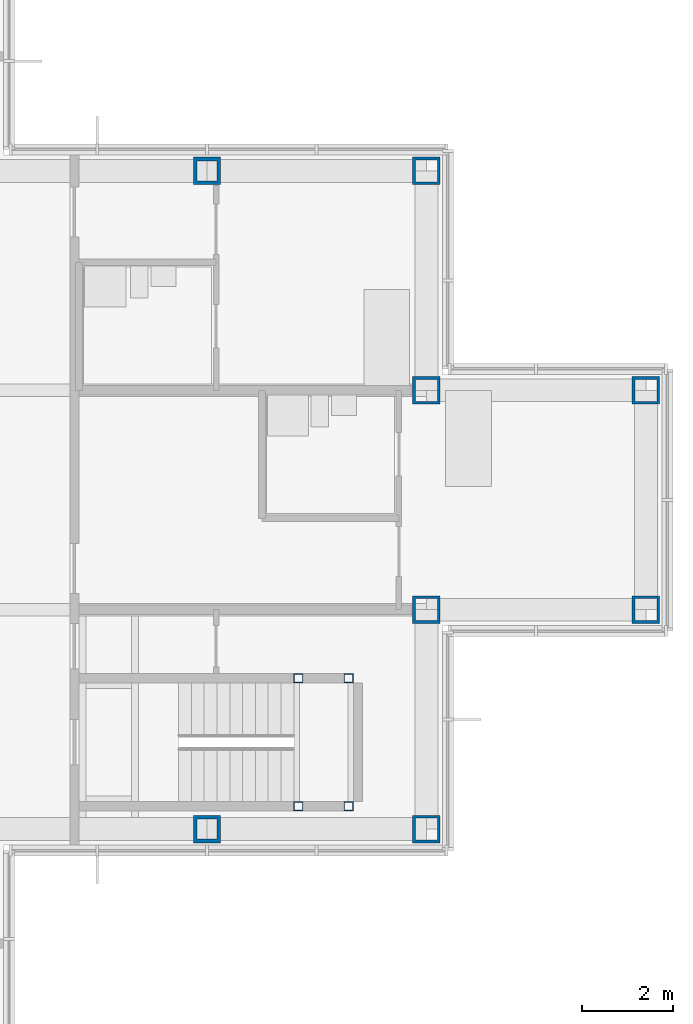
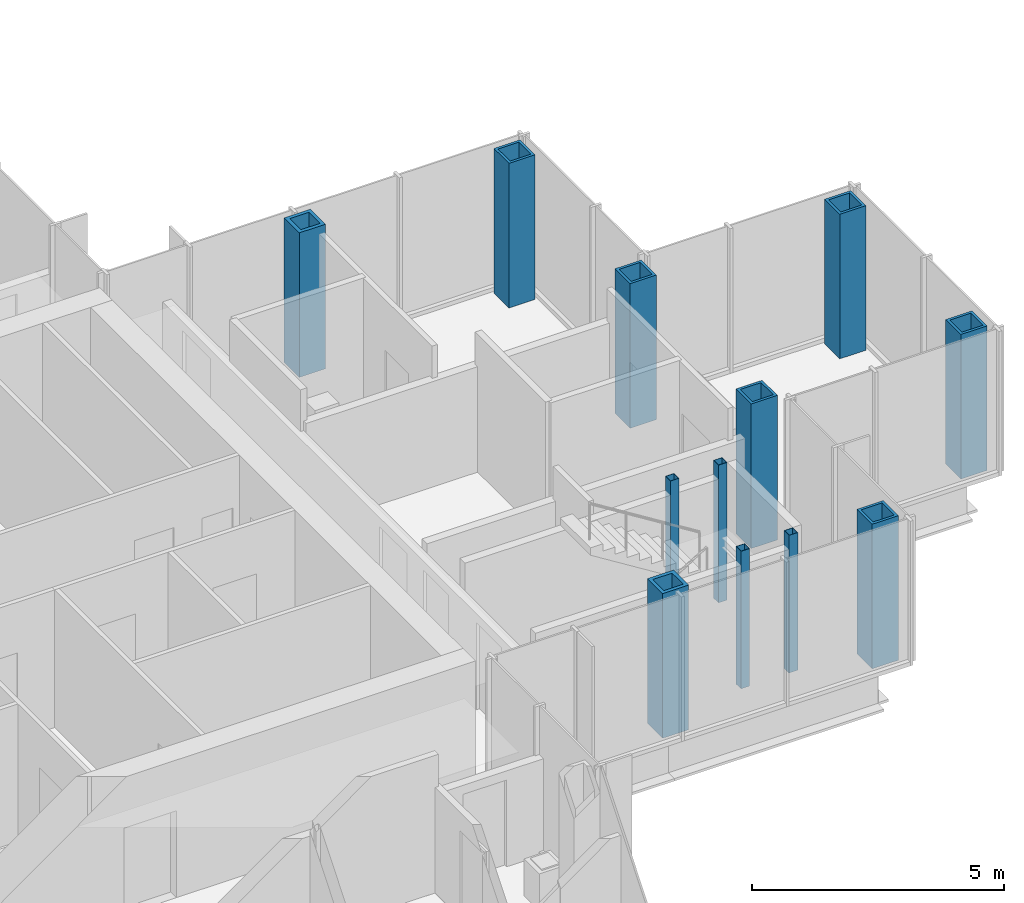
# One storey, part 4 of 17: 12 columns.
"""IFC4 building model written with IfcOpenShell, lengths in metres."""

import ifcopenshell
import ifcopenshell.guid

model = None  # the IFC model being written
_history = None  # IfcOwnerHistory: only IFC2X3 demands one
_inside = {}  # id of a spatial element -> (the spatial element, [elements in it])
_under = {}  # id of a project, library or spatial element -> (it, [spatial elements below it])
_declared = {}  # id of a project -> (the project, [libraries it declares])
_typed = {}  # id of a type object -> (the type object, [elements of that type])
_made_of = {}  # id of a material, layer set ... -> (it, [elements and type objects made of it])


def new_model(schema):
    """Start an empty IFC model of exactly this schema.

    Asked for "IFC4X3", IfcOpenShell would pick the latest addendum, in which some entities
    have other attributes; the version numbers below select the first issue.
    IFC2X3 requires an IfcOwnerHistory on every rooted entity: one is made here for all.
    """
    global model, _history
    if schema == "IFC4X3":
        model = ifcopenshell.file(schema_version=(4, 3, 0, 0))
    else:
        model = ifcopenshell.file(schema=schema)
    _inside.clear()
    _under.clear()
    _declared.clear()
    _typed.clear()
    _made_of.clear()
    _history = None
    if model.schema == "IFC2X3":
        org = make("IfcOrganization", Name="unknown")
        user = make(
            "IfcPersonAndOrganization",
            ThePerson=make("IfcPerson", FamilyName="unknown"),
            TheOrganization=org,
        )
        app = make(
            "IfcApplication",
            ApplicationDeveloper=org,
            Version="unknown",
            ApplicationFullName="unknown",
            ApplicationIdentifier="unknown",
        )
        _history = make(
            "IfcOwnerHistory",
            OwningUser=user,
            OwningApplication=app,
            ChangeAction="ADDED",
            CreationDate=0,
        )
    return model


def make(cls, **values):
    """One entity of the class cls with the attributes given. An attribute that is None is left unset."""
    return model.create_entity(
        cls, **{name: value for name, value in values.items() if value is not None}
    )


def rooted(cls, **values):
    """An entity with a GlobalId (a new one), such as an element, a storey or a relation."""
    return make(cls, GlobalId=ifcopenshell.guid.new(), OwnerHistory=_history, **values)


def si_unit(unit_type, name, prefix=None):
    """IfcSIUnit, for example si_unit("LENGTHUNIT", "METRE", prefix="MILLI")."""
    return make("IfcSIUnit", UnitType=unit_type, Prefix=prefix, Name=name)


def assignment(units):
    """IfcUnitAssignment: the units of a project."""
    return None if units is None else make("IfcUnitAssignment", Units=units)


def point(xyz):
    """IfcCartesianPoint."""
    return None if xyz is None else make("IfcCartesianPoint", Coordinates=xyz)


def direction(xyz):
    """IfcDirection."""
    return None if xyz is None else make("IfcDirection", DirectionRatios=xyz)


def frame(location, z_axis=None, x_axis=None):
    """IfcAxis2Placement3D, a coordinate frame: its origin and axes. An axis left out is left unset."""
    return make(
        "IfcAxis2Placement3D",
        Location=point(location),
        Axis=direction(z_axis),
        RefDirection=direction(x_axis),
    )


def frame_2d(location, x_axis=None):
    """IfcAxis2Placement2D, a coordinate frame in the plane: its origin and x axis."""
    return make(
        "IfcAxis2Placement2D", Location=point(location), RefDirection=direction(x_axis)
    )


def origin():
    """The frame at (0, 0, 0) with its axes left unset."""
    return frame((0.0, 0.0, 0.0))


def origin_2d():
    """The frame at (0, 0) in the plane with its x axis left unset."""
    return frame_2d((0.0, 0.0))


def place(relative_to, where):
    """IfcLocalPlacement: puts the frame where relative to a parent placement (None: the world)."""
    return make(
        "IfcLocalPlacement", PlacementRelTo=relative_to, RelativePlacement=where
    )


def context(
    kind, dimensions, precision=None, world=None, true_north=None, identifier=None
):
    """IfcGeometricRepresentationContext, for example the 3D "Model" context."""
    return make(
        "IfcGeometricRepresentationContext",
        ContextIdentifier=identifier,
        ContextType=kind,
        CoordinateSpaceDimension=dimensions,
        Precision=precision,
        WorldCoordinateSystem=world,
        TrueNorth=true_north,
    )


def subcontext(parent, identifier, kind, view, scale=None):
    """IfcGeometricRepresentationSubContext, for example "Body" below "Model"."""
    return make(
        "IfcGeometricRepresentationSubContext",
        ContextIdentifier=identifier,
        ContextType=kind,
        ParentContext=parent,
        TargetScale=scale,
        TargetView=view,
    )


def project(units=None, contexts=None):
    """IfcProject with its units and contexts."""
    return rooted(
        "IfcProject",
        Name="project",
        RepresentationContexts=contexts,
        UnitsInContext=assignment(units),
    )


def spatial(cls, under=None, at=None, **own):
    """A site, building, storey or space (cls), placed at a placement, below another one or the project."""
    s = rooted(cls, ObjectPlacement=at, **own)
    if under is not None:
        _under.setdefault(under.id(), (under, []))[1].append(s)
    return s


def profile(cls, at=None, kind="AREA", **sizes):
    """A parametric profile (cls). Its sizes go by their IFC names, for example OverallWidth=200.0."""
    return make(cls, ProfileType=kind, Position=at, **sizes)


def hollow_rectangle(**sizes):
    """IfcRectangleHollowProfileDef."""
    return profile("IfcRectangleHollowProfileDef", **sizes)


def extrude(swept, where, along, depth):
    """IfcExtrudedAreaSolid: the profile swept, set in the frame where, extruded along a direction by depth."""
    return make(
        "IfcExtrudedAreaSolid",
        SweptArea=swept,
        Position=where,
        ExtrudedDirection=direction(along),
        Depth=depth,
    )


def shape(context_of_items, identifier, shape_type, items):
    """IfcShapeRepresentation: the items that make up one representation, for example the "Body"."""
    return make(
        "IfcShapeRepresentation",
        ContextOfItems=context_of_items,
        RepresentationIdentifier=identifier,
        RepresentationType=shape_type,
        Items=items,
    )


def material(Name=None, Category=None):
    """IfcMaterial."""
    return make("IfcMaterial", Name=Name, Category=Category)


def material_profile(
    of_material, cross_section, Name=None, Category=None, Priority=None
):
    """IfcMaterialProfile: a cross section and its material."""
    return make(
        "IfcMaterialProfile",
        Name=Name,
        Material=of_material,
        Profile=cross_section,
        Priority=Priority,
        Category=Category,
    )


def profile_set(profiles, Name=None, composite=None):
    """IfcMaterialProfileSet."""
    return make(
        "IfcMaterialProfileSet",
        Name=Name,
        MaterialProfiles=profiles,
        CompositeProfile=composite,
    )


def made_of(thing, what):
    """Note that an element or type object is made of a material, layer set ...; save() writes the relation."""
    if what is not None:
        _made_of.setdefault(what.id(), (what, []))[1].append(thing)
    return thing


def type_object(cls, material=None, **own):
    """A type object (cls), such as IfcWallType, which elements share."""
    return made_of(rooted(cls, **own), material)


def element(
    cls,
    number,
    at=None,
    inside=None,
    cuts=None,
    type_object=None,
    material=None,
    context=None,
    identifier="Body",
    shape_type=None,
    held_by="IfcProductDefinitionShape",
    body=None,
    shapes=None,
    **own,
):
    """One element of the class cls, such as IfcWall. Its Tag is "e" and its number.

    at: its placement. inside: the storey or other place that contains it. cuts: it is an
    opening in that element (IfcRelVoidsElement). A single representation is given by context,
    identifier, shape_type and body (its items); several are given by shapes. held_by: the class
    of the entity that holds the representations. save() writes the other relations.
    """
    e = rooted(cls, Tag="e%d" % number, ObjectPlacement=at, **own)
    if body is not None:
        shapes = [shape(context, identifier, shape_type, body)]
    if shapes is not None:
        e.Representation = make(held_by, Representations=shapes)
    if inside is not None:
        _inside.setdefault(inside.id(), (inside, []))[1].append(e)
    if cuts is not None:
        rooted(
            "IfcRelVoidsElement", RelatingBuildingElement=cuts, RelatedOpeningElement=e
        )
    if type_object is not None:
        _typed.setdefault(type_object.id(), (type_object, []))[1].append(e)
    return made_of(e, material)


def aggregate(whole, parts):
    """IfcRelAggregates: a whole, such as a stair, and the parts it consists of."""
    return rooted("IfcRelAggregates", RelatingObject=whole, RelatedObjects=parts)


def save(model, path):
    """Write the relations noted so far, then the file.

    IfcRelAggregates (storeys below a building ...), IfcRelContainedInSpatialStructure (elements
    in a storey), IfcRelDefinesByType, IfcRelAssociatesMaterial and IfcRelDeclares: one each for
    every whole, place, type object, material and project.
    """
    for whole, parts in _under.values():
        aggregate(whole, parts)
    for where, things in _inside.values():
        rooted(
            "IfcRelContainedInSpatialStructure",
            RelatedElements=things,
            RelatingStructure=where,
        )
    for kind, things in _typed.values():
        rooted("IfcRelDefinesByType", RelatedObjects=things, RelatingType=kind)
    for what, things in _made_of.values():
        rooted("IfcRelAssociatesMaterial", RelatedObjects=things, RelatingMaterial=what)
    for by, libraries in _declared.values():
        rooted("IfcRelDeclares", RelatingContext=by, RelatedDefinitions=libraries)
    model.write(path)


model = new_model("IFC4")

# Units and contexts
model_context = context("Model", 3, precision=1e-05, world=origin(), true_north=direction((0.0, 1.0)))
body_context = subcontext(model_context, "Body", "Model", "MODEL_VIEW")
ifc_project = project(units=[si_unit("LENGTHUNIT", "METRE"), si_unit("AREAUNIT", "SQUARE_METRE"), si_unit("VOLUMEUNIT", "CUBIC_METRE"), si_unit("PLANEANGLEUNIT", "RADIAN"), si_unit("MASSUNIT", "GRAM", prefix="KILO")], contexts=[model_context])

# Site, building, storey
site_placement = place(None, origin())
site = spatial("IfcSite", under=ifc_project, at=site_placement, CompositionType="ELEMENT")
building_placement = place(site_placement, origin())
building = spatial("IfcBuilding", under=site, at=building_placement, Name="Kvirike Care Tower", CompositionType="ELEMENT")
storey_placement = place(building_placement, frame((0.0, 0.0, 151.5)))
storey = spatial("IfcBuildingStorey", under=building, at=storey_placement, Name="L41", CompositionType="ELEMENT", Elevation=151.5)

# Columns
ifc_material_1 = material(Name="Steel S460", Category="steel")
ifc_material_profile_1 = material_profile(ifc_material_1, hollow_rectangle(XDim=0.60009765625, YDim=0.60009765625, WallThickness=0.06005859375, at=origin_2d()), Name="BX 600x600x60")
ifc_profile_set_1 = profile_set([ifc_material_profile_1], Name="Steel S460")
column_type_1 = type_object("IfcColumnType", Name="COLUMN BX 600x600x60", PredefinedType="COLUMN", material=ifc_profile_set_1)
for number, where, z_axis, x_axis, name in (
    (1, (38.39990234375, 28.800048828125, 0.0), (0.0, 0.0, 1.0), (0.0, 1.0, 0.0), "Column G11 L41"),
    (2, (38.39990234375, 33.60009765625, 0.0), (0.0, 0.0, 1.0), (0.0, 1.0, 0.0), "Column H11 L41"),
    (3, (38.39990234375, 38.39990234375, 0.0), (0.0, 0.0, 1.0), (0.0, 1.0, 0.0), "Column J11 L41"),
    (4, (38.39990234375, 43.199951171875, 0.0), (0.0, 0.0, 1.0), (0.0, 1.0, 0.0), "Column K11 L41"),
    (5, (43.199951171875, 33.60009765625, 0.0), (0.0, 0.0, 1.0), (0.0, 1.0, 0.0), "Column H12 L41"),
    (6, (43.199951171875, 38.39990234375, 0.0), (0.0, 0.0, 1.0), (0.0, 1.0, 0.0), "Column J12 L41"),
):
    element("IfcColumn", number, at=place(storey_placement, frame(where, z_axis=z_axis, x_axis=x_axis)), inside=storey, type_object=column_type_1, Name=name, PredefinedType="COLUMN", context=body_context, shape_type="SweptSolid", body=[
        extrude(hollow_rectangle(XDim=0.60009765625, YDim=0.60009765625, WallThickness=0.06005859375, at=origin_2d()), origin(), (0.0, 0.0, 1.0), 3.5),
    ])
ifc_material_2 = material(Name="Steel S460", Category="steel")
ifc_material_profile_2 = material_profile(ifc_material_2, hollow_rectangle(XDim=0.60009765625, YDim=0.60009765625, WallThickness=0.080078125, at=origin_2d()), Name="BX 600x600x80")
ifc_profile_set_2 = profile_set([ifc_material_profile_2], Name="Steel S460")
column_type_2 = type_object("IfcColumnType", Name="COLUMN BX 600x600x80", PredefinedType="COLUMN", material=ifc_profile_set_2)
for number, where, z_axis, x_axis, name in (
    (7, (33.60009765625, 28.800048828125, 0.0), (0.0, 0.0, 1.0), (0.0, 1.0, 0.0), "Column G10 L41"),
    (8, (33.60009765625, 43.199951171875, 0.0), (0.0, 0.0, 1.0), (0.0, 1.0, 0.0), "Column K10 L41"),
):
    element("IfcColumn", number, at=place(storey_placement, frame(where, z_axis=z_axis, x_axis=x_axis)), inside=storey, type_object=column_type_2, Name=name, PredefinedType="COLUMN", context=body_context, shape_type="SweptSolid", body=[
        extrude(hollow_rectangle(XDim=0.60009765625, YDim=0.60009765625, WallThickness=0.080078125, at=origin_2d()), origin(), (0.0, 0.0, 1.0), 3.5),
    ])
ifc_material_3 = material(Name="Steel S460", Category="steel")
ifc_material_profile_3 = material_profile(ifc_material_3, hollow_rectangle(XDim=0.199951171875, YDim=0.199951171875, WallThickness=0.008056640625, at=origin_2d()), Name="SHS 200x200x8")
ifc_profile_set_3 = profile_set([ifc_material_profile_3], Name="Steel S460")
column_type_3 = type_object("IfcColumnType", Name="STAIR POST SHS 200x200x8", PredefinedType="COLUMN", material=ifc_profile_set_3)
for number, where, z_axis, x_axis, name in (
    (9, (36.699951171875, 29.300048828125, 0.0), (0.0, 0.0, 1.0), (1.0, 0.0, 0.0), "Stair 2 post 1 L41"),
    (10, (36.699951171875, 32.10009765625, 0.0), (0.0, 0.0, 1.0), (1.0, 0.0, 0.0), "Stair 2 post 2 L41"),
    (11, (35.60009765625, 29.300048828125, 0.0), (0.0, 0.0, 1.0), (1.0, 0.0, 0.0), "Stair 2 post 3 L41"),
    (12, (35.60009765625, 32.10009765625, 0.0), (0.0, 0.0, 1.0), (1.0, 0.0, 0.0), "Stair 2 post 4 L41"),
):
    element("IfcColumn", number, at=place(storey_placement, frame(where, z_axis=z_axis, x_axis=x_axis)), inside=storey, type_object=column_type_3, Name=name, PredefinedType="COLUMN", context=body_context, shape_type="SweptSolid", body=[
        extrude(hollow_rectangle(XDim=0.199951171875, YDim=0.199951171875, WallThickness=0.008056640625, at=origin_2d()), origin(), (0.0, 0.0, 1.0), 3.330078125),
    ])

save(model, "model.ifc")
